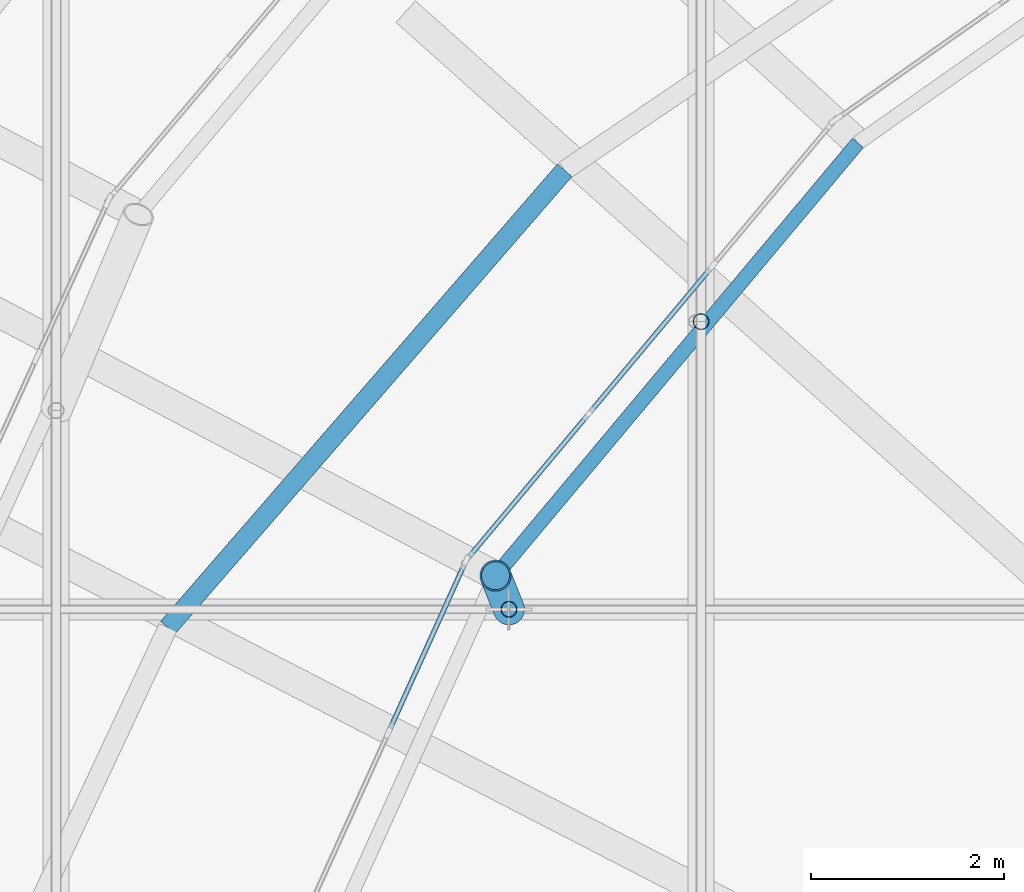
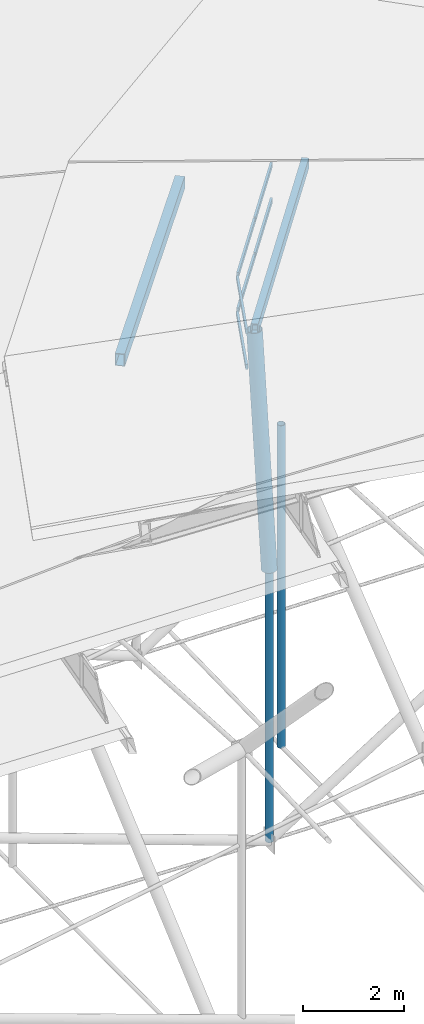
# One storey, part 47 of 173: 11 members, 2 elements without a shape of their own.
"""IFC4 building model written with IfcOpenShell, lengths in metres."""

from ifc_helpers import new_model, si_unit, direction, frame, origin, origin_2d, place, context, subcontext, project, spatial, rectangle, hollow_rectangle, hollow_circle, extrude, material, material_profile, profile_set, type_object, element, aggregate, save


model = new_model("IFC4")

# Units and contexts
model_context = context("Model", 3, precision=1e-05, world=origin(), true_north=direction((0.0, 1.0)))
body_context = subcontext(model_context, "Body", "Model", "MODEL_VIEW")
ifc_project = project(units=[si_unit("LENGTHUNIT", "METRE"), si_unit("AREAUNIT", "SQUARE_METRE"), si_unit("VOLUMEUNIT", "CUBIC_METRE"), si_unit("PLANEANGLEUNIT", "RADIAN"), si_unit("MASSUNIT", "GRAM", prefix="KILO")], contexts=[model_context])

# Site, building, storey
site_placement = place(None, origin())
site = spatial("IfcSite", under=ifc_project, at=site_placement, CompositionType="ELEMENT")
building_placement = place(site_placement, origin())
building = spatial("IfcBuilding", under=site, at=building_placement, Name="Glasvene Arena", CompositionType="ELEMENT")
storey_placement = place(building_placement, frame((0.0, 0.0, 28.800048828125)))
storey = spatial("IfcBuildingStorey", under=building, at=storey_placement, Name="RF", CompositionType="ELEMENT", Elevation=28.800048828125)

# Curtain wall, members
ifc_material_1 = material(Name="Low-emissivity laminated double glazing", Category="glass")
curtain_wall_type_1 = type_object("IfcCurtainWallType", Name="CW-PET4-594x92", PredefinedType="USERDEFINED", material=ifc_material_1)
curtain_wall_1_placement = place(storey_placement, frame((70.679443359375, 85.106201171875, 0.0)))
curtain_wall_1 = element("IfcCurtainWall", 1, at=curtain_wall_1_placement, inside=storey, type_object=curtain_wall_type_1, Name="Petal ring 4-5 clerestory curtain wall 10", ObjectType="CURTAIN WALL", PredefinedType="USERDEFINED")
ifc_material_2 = material(Name="Anodised architectural aluminium", Category="aluminium")
ifc_material_profile_1 = material_profile(ifc_material_2, rectangle(XDim=0.050048828125, YDim=0.1201171875, at=origin_2d()), Name="ALU TRANSOM 50x120")
ifc_profile_set_1 = profile_set([ifc_material_profile_1], Name="Anodised architectural aluminium")
member_type_1 = type_object("IfcMemberType", Name="CW-TRN-120", PredefinedType="USERDEFINED", material=ifc_profile_set_1)
member_1_placement = place(storey_placement, frame((69.39208984375, 83.568359375, 10.554931640625), z_axis=(-0.64187441303, -0.766809779474, 0.0), x_axis=(0.766809779474, -0.64187441303, 0.0)))
member_1 = element("IfcMember", 2, at=member_1_placement, type_object=member_type_1, Name="CW-101 transom 2.1", ObjectType="TRANSOM", PredefinedType="USERDEFINED", context=body_context, shape_type="SweptSolid", body=[
    extrude(rectangle(XDim=0.050048828125, YDim=0.1201171875, at=origin_2d()), origin(), (0.0, 0.0, 1.0), 1.9306640625),
])
member_2_placement = place(storey_placement, frame((69.39208984375, 83.568359375, 11.4208984375), z_axis=(-0.64187441303, -0.766809779474, 0.0), x_axis=(0.766809779474, -0.64187441303, 0.0)))
member_2 = element("IfcMember", 3, at=member_2_placement, type_object=member_type_1, Name="CW-101 transom 2.2", ObjectType="TRANSOM", PredefinedType="USERDEFINED", context=body_context, shape_type="SweptSolid", body=[
    extrude(rectangle(XDim=0.050048828125, YDim=0.1201171875, at=origin_2d()), origin(), (0.0, 0.0, 1.0), 1.9306640625),
])
member_3_placement = place(storey_placement, frame((68.12060546875, 82.049560546875, 10.554931640625), z_axis=(-0.641884103108, -0.766801668084, 0.0), x_axis=(0.766801668084, -0.641884103108, 0.0)))
member_3 = element("IfcMember", 4, at=member_3_placement, type_object=member_type_1, Name="CW-101 transom 3.1", ObjectType="TRANSOM", PredefinedType="USERDEFINED", context=body_context, shape_type="SweptSolid", body=[
    extrude(rectangle(XDim=0.050048828125, YDim=0.1201171875, at=origin_2d()), origin(), (0.0, 0.0, 1.0), 1.905517578125),
])
member_4_placement = place(storey_placement, frame((68.12060546875, 82.049560546875, 11.4208984375), z_axis=(-0.641884103108, -0.766801668084, 0.0), x_axis=(0.766801668084, -0.641884103108, 0.0)))
member_4 = element("IfcMember", 5, at=member_4_placement, type_object=member_type_1, Name="CW-101 transom 3.2", ObjectType="TRANSOM", PredefinedType="USERDEFINED", context=body_context, shape_type="SweptSolid", body=[
    extrude(rectangle(XDim=0.050048828125, YDim=0.1201171875, at=origin_2d()), origin(), (0.0, 0.0, 1.0), 1.905517578125),
])
aggregate(curtain_wall_1, [member_1, member_2, member_3, member_4])

curtain_wall_type_2 = type_object("IfcCurtainWallType", Name="CW-PET4-582x92", PredefinedType="USERDEFINED", material=ifc_material_1)
curtain_wall_2_placement = place(storey_placement, frame((66.865478515625, 80.550048828125, 0.0)))
curtain_wall_2 = element("IfcCurtainWall", 6, at=curtain_wall_2_placement, inside=storey, type_object=curtain_wall_type_2, Name="Petal ring 4-5 clerestory curtain wall 11", ObjectType="CURTAIN WALL", PredefinedType="USERDEFINED")
member_5_placement = place(storey_placement, frame((66.8447265625, 80.50439453125, 10.554931640625), z_axis=(-0.411800580361, -0.911273988444, 0.0), x_axis=(0.911273988444, -0.411800580361, 0.0)))
member_5 = element("IfcMember", 7, at=member_5_placement, type_object=member_type_1, Name="CW-100 transom 1.1", ObjectType="TRANSOM", PredefinedType="USERDEFINED", context=body_context, shape_type="SweptSolid", body=[
    extrude(rectangle(XDim=0.050048828125, YDim=0.1201171875, at=origin_2d()), origin(), (0.0, 0.0, 1.0), 1.86572265625),
])
member_6_placement = place(storey_placement, frame((66.8447265625, 80.50439453125, 11.4208984375), z_axis=(-0.411800580361, -0.911273988444, 0.0), x_axis=(0.911273988444, -0.411800580361, 0.0)))
member_6 = element("IfcMember", 8, at=member_6_placement, type_object=member_type_1, Name="CW-100 transom 1.2", ObjectType="TRANSOM", PredefinedType="USERDEFINED", context=body_context, shape_type="SweptSolid", body=[
    extrude(rectangle(XDim=0.050048828125, YDim=0.1201171875, at=origin_2d()), origin(), (0.0, 0.0, 1.0), 1.86572265625),
])
aggregate(curtain_wall_2, [member_5, member_6])

# Members
ifc_material_3 = material(Name="Steel S355J2", Category="steel")
ifc_material_profile_2 = material_profile(ifc_material_3, hollow_circle(Radius=0.161865234375, WallThickness=0.01611328125, at=origin_2d()), Name="CHS 323.9x16.0")
ifc_profile_set_2 = profile_set([ifc_material_profile_2], Name="Steel S355J2")
member_type_2 = type_object("IfcMemberType", Name="MB-POST-CHS324", PredefinedType="BRACE", material=ifc_profile_set_2)
member_7_placement = place(storey_placement, frame((67.307861328125, 80.03955078125, 4.472900390625), z_axis=(-0.02458032133, 0.061472327249, 0.997806073737), x_axis=(-0.928521527232, -0.371278565861, 0.0)))
element("IfcMember", 9, at=member_7_placement, inside=storey, type_object=member_type_2, Name="Petal ring 4 ridge support post 11", PredefinedType="BRACE", context=body_context, shape_type="SweptSolid", body=[
    extrude(hollow_circle(Radius=0.161865234375, WallThickness=0.01611328125, at=origin_2d()), origin(), (0.0, 0.0, 1.0), 5.67138671875),
])
ifc_material_profile_3 = material_profile(ifc_material_3, hollow_rectangle(XDim=0.14990234375, YDim=0.25, WallThickness=0.010009765625, at=origin_2d()), Name="RHS 250x150x10.0")
ifc_profile_set_3 = profile_set([ifc_material_profile_3], Name="Steel S355J2")
member_type_3 = type_object("IfcMemberType", Name="MB-PURLIN-RHS250", PredefinedType="PURLIN", material=ifc_profile_set_3)
member_8_placement = place(storey_placement, frame((70.927001953125, 84.87744140625, 10.1318359375), z_axis=(-0.641946348461, -0.766749558655, 0.0), x_axis=(0.766749558655, -0.641946348461, 0.0)))
element("IfcMember", 10, at=member_8_placement, inside=storey, type_object=member_type_3, Name="Petal ring 4 ridge purlin 10", PredefinedType="PURLIN", context=body_context, shape_type="SweptSolid", body=[
    extrude(hollow_rectangle(XDim=0.14990234375, YDim=0.25, WallThickness=0.010009765625, at=origin_2d()), origin(), (0.0, 0.0, 1.0), 5.85498046875),
])
ifc_material_profile_4 = material_profile(ifc_material_3, hollow_rectangle(XDim=0.199951171875, YDim=0.300048828125, WallThickness=0.012451171875, at=origin_2d()), Name="RHS 300x200x12.5")
ifc_profile_set_4 = profile_set([ifc_material_profile_4], Name="Steel S355J2")
member_type_4 = type_object("IfcMemberType", Name="MB-PURLIN-RHS300", PredefinedType="PURLIN", material=ifc_profile_set_4)
member_9_placement = place(storey_placement, frame((67.885986328125, 84.5927734375, 10.9013671875), z_axis=(-0.655443991024, -0.7552437849, 0.0), x_axis=(0.7552437849, -0.655443991024, 0.0)))
element("IfcMember", 11, at=member_9_placement, inside=storey, type_object=member_type_4, Name="Petal ring 5 outer purlin 10", PredefinedType="PURLIN", context=body_context, shape_type="SweptSolid", body=[
    extrude(hollow_rectangle(XDim=0.199951171875, YDim=0.300048828125, WallThickness=0.012451171875, at=origin_2d()), origin(), (0.0, 0.0, 1.0), 6.279541015625),
])
ifc_material_profile_5 = material_profile(ifc_material_3, hollow_circle(Radius=0.084228515625, WallThickness=0.008056640625, at=origin_2d()), Name="CHS 168.3x8.0")
ifc_profile_set_5 = profile_set([ifc_material_profile_5], Name="Steel S355J2")
member_type_5 = type_object("IfcMemberType", Name="MB-WEB-CHS168", PredefinedType="BRACE", material=ifc_profile_set_5)
member_10_placement = place(storey_placement, frame((69.300537109375, 83.023681640625, -2.328125), z_axis=(0.0, 0.0, 1.0), x_axis=(1.0, 0.0, 0.0)))
element("IfcMember", 12, at=member_10_placement, inside=storey, type_object=member_type_5, Name="Cable-truss vertical strut NS08-05", PredefinedType="BRACE", context=body_context, shape_type="SweptSolid", body=[
    extrude(hollow_circle(Radius=0.084228515625, WallThickness=0.008056640625, at=origin_2d()), origin(), (0.0, 0.0, 1.0), 7.827392578125),
])
member_11_placement = place(storey_placement, frame((67.307861328125, 80.03955078125, -2.112548828125), z_axis=(0.0, 0.0, 1.0), x_axis=(1.0, 0.0, 0.0)))
element("IfcMember", 13, at=member_11_placement, inside=storey, type_object=member_type_5, Name="Cable-truss vertical strut EW05-02", PredefinedType="BRACE", context=body_context, shape_type="SweptSolid", body=[
    extrude(hollow_circle(Radius=0.084228515625, WallThickness=0.008056640625, at=origin_2d()), origin(), (0.0, 0.0, 1.0), 6.58544921875),
])

save(model, "model.ifc")
